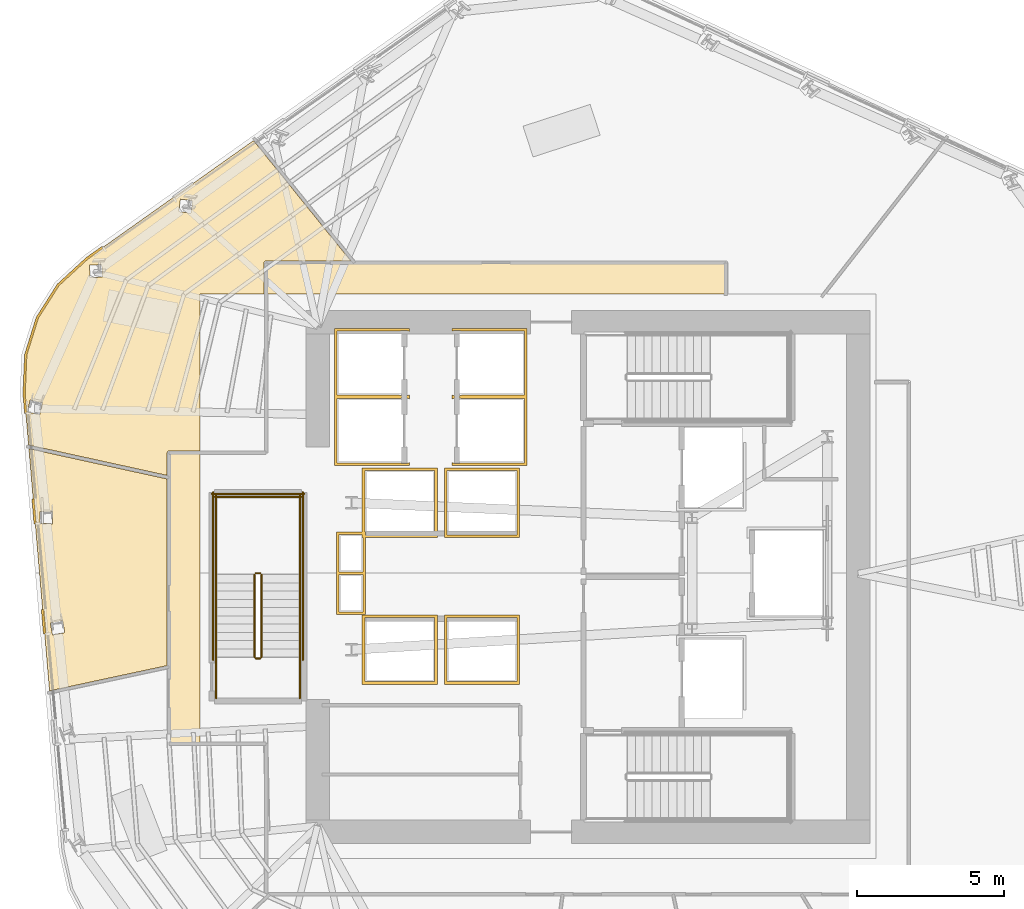
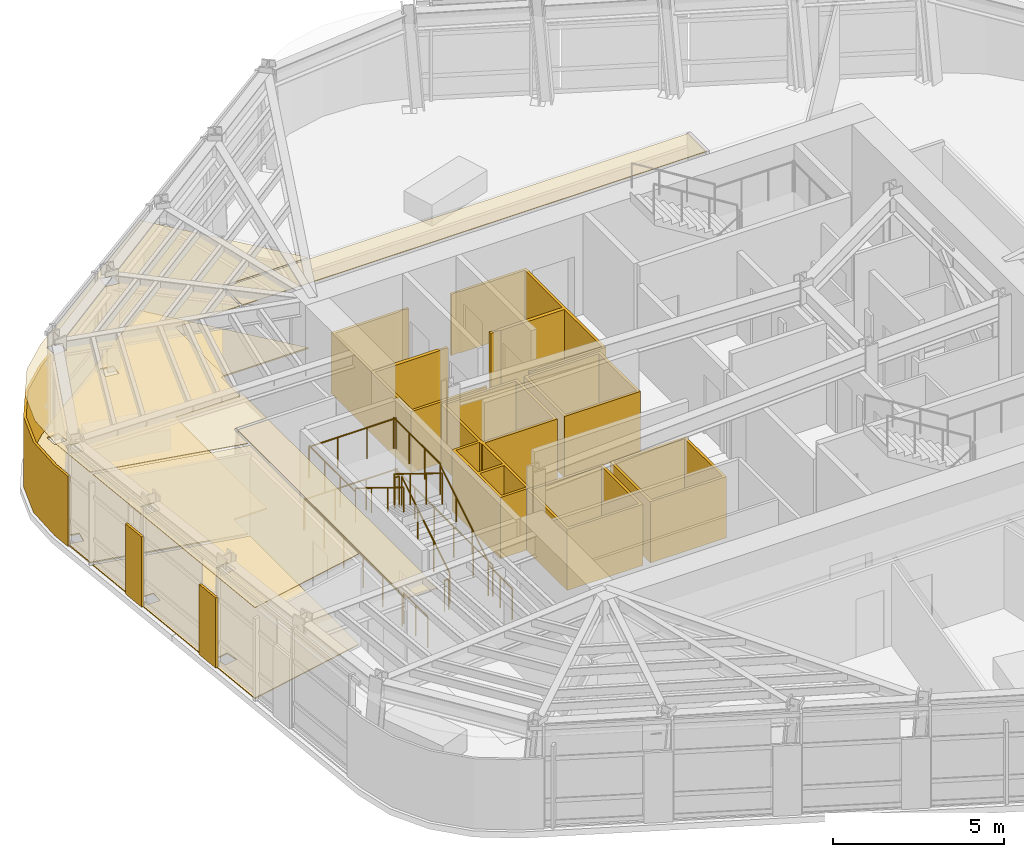
# One storey, part 11 of 14: 15 coverings, 14 railings.
"""IFC4 building model written with IfcOpenShell, lengths in metres."""

from ifc_helpers import new_model, si_unit, direction, frame, origin, origin_2d, place, context, subcontext, project, spatial, polyline, circle, outline, extrude, material, layer, layer_set, type_object, element, save


model = new_model("IFC4")

# Units and contexts
model_context = context("Model", 3, precision=1e-05, world=origin(), true_north=direction((0.0, 1.0)))
body_context = subcontext(model_context, "Body", "Model", "MODEL_VIEW")
ifc_project = project(units=[si_unit("LENGTHUNIT", "METRE"), si_unit("AREAUNIT", "SQUARE_METRE"), si_unit("VOLUMEUNIT", "CUBIC_METRE"), si_unit("PLANEANGLEUNIT", "RADIAN"), si_unit("MASSUNIT", "GRAM", prefix="KILO")], contexts=[model_context])

# Site, building, storey
site_placement = place(None, origin())
site = spatial("IfcSite", under=ifc_project, at=site_placement, CompositionType="ELEMENT")
building_placement = place(site_placement, origin())
building = spatial("IfcBuilding", under=site, at=building_placement, Name="Valkerne Bourse Tower", CompositionType="ELEMENT")
storey_placement = place(building_placement, frame((0.0, 0.0, 174.199951171875)))
storey = spatial("IfcBuildingStorey", under=building, at=storey_placement, Name="L44", CompositionType="ELEMENT", Elevation=174.199951171875)

# Coverings
ifc_material_1 = material(Name="Mineral Fiber Acoustic Ceiling Tile", Category="acoustic")
ifc_layer_1 = layer(ifc_material_1, 0.02490234375)
ifc_layer_set_1 = layer_set([ifc_layer_1], Name="Mineral Fiber Acoustic Ceiling Tile")
covering_type_1 = type_object("IfcCoveringType", Name="COV-CEIL-ACT", PredefinedType="CEILING", material=ifc_layer_set_1)
covering_1_placement = place(storey_placement, frame((0.0, 0.0, 3.22998046875)))
element("IfcCovering", 1, at=covering_1_placement, inside=storey, type_object=covering_type_1, Name="L44 Suspended Ceiling 04", PredefinedType="CEILING", context=body_context, shape_type="SweptSolid", body=[
    extrude(outline(polyline([(32.48095703125, 23.856689453125), (28.481689453125, 22.997802734375), (27.7783203125, 31.239501953125), (32.48095703125, 30.208984375), (32.48095703125, 23.856689453125)]), holes=[polyline([(28.9990234375, 24.982177734375), (28.922607421875, 25.38818359375), (28.505126953125, 25.309814453125), (28.50537109375, 25.30712890625), (28.581787109375, 24.901123046875), (28.999267578125, 24.9794921875), (28.9990234375, 24.982177734375)]), polyline([(28.582763671875, 29.099609375), (28.158203125, 29.10791015625), (28.157958984375, 29.105224609375), (28.150390625, 28.692138671875), (28.57470703125, 28.683837890625), (28.5751953125, 28.6865234375), (28.582763671875, 29.099609375)])]), origin(), (0.0, 0.0, 1.0), 0.025146484375),
])
covering_2_placement = place(storey_placement, frame((0.0, 0.0, 3.22998046875)))
element("IfcCovering", 2, at=covering_2_placement, inside=storey, type_object=covering_type_1, Name="L44 Suspended Ceiling 09", PredefinedType="CEILING", context=body_context, shape_type="SweptSolid", body=[
    extrude(outline(polyline([(28.069091796875, 35.694580078125), (28.7763671875, 36.80859375), (29.7548828125, 37.70849609375), (35.423095703125, 41.72509765625), (38.7333984375, 37.62890625), (35.849365234375, 37.62890625), (35.81396484375, 37.618896484375), (35.787353515625, 37.589111328125), (35.781005859375, 37.560302734375), (35.781005859375, 36.5), (33.60009765625, 36.5), (33.60009765625, 31.16748046875), (32.532470703125, 31.1669921875), (32.494873046875, 31.1416015625), (32.481201171875, 31.1044921875), (32.48095703125, 30.32958984375), (27.767822265625, 31.362548828125), (27.618896484375, 33.107177734375), (27.6748046875, 34.435302734375), (28.069091796875, 35.694580078125)]), holes=[polyline([(28.231689453125, 32.806396484375), (27.81640625, 32.894287109375), (27.8154296875, 32.8916015625), (27.730224609375, 32.487548828125), (28.1455078125, 32.399658203125), (28.146484375, 32.40234375), (28.231689453125, 32.806396484375)]), polyline([(30.27734375, 37.084228515625), (30.2529296875, 37.507080078125), (29.839599609375, 37.484619140625), (29.838134765625, 37.482177734375), (29.862548828125, 37.05908203125), (30.27587890625, 37.081787109375), (30.27734375, 37.084228515625)]), polyline([(33.347412109375, 39.676025390625), (32.93701171875, 39.731201171875), (32.935302734375, 39.7294921875), (32.879638671875, 39.309326171875), (33.2900390625, 39.25390625), (33.291748046875, 39.255859375), (33.347412109375, 39.676025390625)])]), origin(), (0.0, 0.0, 1.0), 0.025146484375),
])
ifc_material_2 = material(Name="Bronze Anodised Aluminium AA 6063-T6", Category="aluminium")
ifc_layer_2 = layer(ifc_material_2, 0.030029296875)
ifc_layer_set_2 = layer_set([ifc_layer_2], Name="Bronze Anodised Aluminium AA 6063-T6")
covering_type_2 = type_object("IfcCoveringType", Name="COV-CEIL-METAL", PredefinedType="CEILING", material=ifc_layer_set_2)
covering_3_placement = place(storey_placement, frame((0.0, 0.0, 3.22998046875)))
element("IfcCovering", 3, at=covering_3_placement, inside=storey, type_object=covering_type_2, Name="L44 Suspended Ceiling 02", PredefinedType="CEILING", context=body_context, shape_type="SweptSolid", body=[
    extrude(outline(polyline([(32.553955078125, 21.2041015625), (32.553955078125, 31.095947265625), (33.60009765625, 31.095947265625), (33.60009765625, 21.2041015625), (32.553955078125, 21.2041015625)])), origin(), (0.0, 0.0, 1.0), 0.025146484375),
])
covering_4_placement = place(storey_placement, frame((0.0, 0.0, 3.22998046875)))
element("IfcCovering", 4, at=covering_4_placement, inside=storey, type_object=covering_type_2, Name="L44 Suspended Ceiling 03", PredefinedType="CEILING", context=body_context, shape_type="SweptSolid", body=[
    extrude(outline(polyline([(35.85400390625, 37.555908203125), (51.49609375, 37.555908203125), (51.49609375, 36.5), (35.85400390625, 36.5), (35.85400390625, 37.555908203125)])), origin(), (0.0, 0.0, 1.0), 0.025146484375),
])
ifc_layer_3 = layer(ifc_material_2, 0.06005859375)
ifc_layer_set_3 = layer_set([ifc_layer_3], Name="Bronze Anodised Aluminium AA 6063-T6")
covering_type_3 = type_object("IfcCoveringType", Name="COV-CRN-ALUM", PredefinedType="CLADDING", material=ifc_layer_set_3)
covering_5_placement = place(storey_placement, origin())
element("IfcCovering", 5, at=covering_5_placement, inside=storey, type_object=covering_type_3, Name="L44 Wind-Shaped Corner Aluminium Cladding 11", PredefinedType="CLADDING", context=body_context, shape_type="SweptSolid", body=[
    extrude(outline(polyline([(28.20166015625, 25.76171875), (28.28125, 25.768798828125), (28.352783203125, 24.931884765625), (28.273193359375, 24.9248046875), (28.20166015625, 25.76171875)])), origin(), (0.0, 0.0, 1.0), 2.5),
])
covering_6_placement = place(storey_placement, origin())
element("IfcCovering", 6, at=covering_6_placement, inside=storey, type_object=covering_type_3, Name="L44 Wind-Shaped Corner Aluminium Cladding 12", PredefinedType="CLADDING", context=body_context, shape_type="SweptSolid", body=[
    extrude(outline(polyline([(27.881103515625, 29.51904296875), (27.960693359375, 29.526123046875), (28.031982421875, 28.689208984375), (27.952392578125, 28.68212890625), (27.881103515625, 29.51904296875)])), origin(), (0.0, 0.0, 1.0), 2.5),
])
covering_7_placement = place(storey_placement, origin())
element("IfcCovering", 7, at=covering_7_placement, inside=storey, type_object=covering_type_3, Name="L44 Wind-Shaped Corner Aluminium Cladding 13", PredefinedType="CLADDING", context=body_context, shape_type="SweptSolid", body=[
    extrude(outline(polyline([(27.574951171875, 33.106201171875), (27.631103515625, 34.443115234375), (28.029052734375, 35.713134765625), (28.7421875, 36.837158203125), (29.72705078125, 37.742919921875), (30.27294921875, 38.129638671875), (30.319091796875, 38.064208984375), (29.777587890625, 37.680419921875), (28.80419921875, 36.785400390625), (28.102294921875, 35.67919921875), (27.71044921875, 34.42919921875), (27.655029296875, 33.10791015625), (27.71142578125, 32.446533203125), (27.6318359375, 32.439453125), (27.574951171875, 33.106201171875)])), origin(), (0.0, 0.0, 1.0), 2.5),
])
ifc_material_3 = material(Name="Galvanised Painted Steel", Category="steel")
ifc_layer_4 = layer(ifc_material_3, 0.044921875)
ifc_layer_set_4 = layer_set([ifc_layer_4], Name="Galvanised Painted Steel")
covering_type_4 = type_object("IfcCoveringType", Name="COV-FLR-RAF", PredefinedType="FLOORING", material=ifc_layer_set_4)
covering_8_placement = place(storey_placement, origin())
element("IfcCovering", 8, at=covering_8_placement, inside=storey, type_object=covering_type_4, Name="L44 Floor Finish 09", PredefinedType="FLOORING", context=body_context, shape_type="SweptSolid", body=[
    extrude(outline(polyline([(28.069091796875, 35.694580078125), (28.7763671875, 36.80859375), (29.7548828125, 37.70849609375), (35.423095703125, 41.72509765625), (38.7333984375, 37.62890625), (35.849365234375, 37.62890625), (35.81396484375, 37.618896484375), (35.787353515625, 37.589111328125), (35.781005859375, 37.560302734375), (35.781005859375, 36.5), (33.60009765625, 36.5), (33.60009765625, 31.16748046875), (32.532470703125, 31.1669921875), (32.494873046875, 31.1416015625), (32.481201171875, 31.1044921875), (32.48095703125, 30.32958984375), (27.767822265625, 31.362548828125), (27.618896484375, 33.107177734375), (27.6748046875, 34.435302734375), (28.069091796875, 35.694580078125)]), holes=[polyline([(28.231689453125, 32.806396484375), (27.81640625, 32.894287109375), (27.8154296875, 32.8916015625), (27.730224609375, 32.487548828125), (28.1455078125, 32.399658203125), (28.146484375, 32.40234375), (28.231689453125, 32.806396484375)]), polyline([(30.27734375, 37.084228515625), (30.2529296875, 37.507080078125), (29.839599609375, 37.484619140625), (29.838134765625, 37.482177734375), (29.862548828125, 37.05908203125), (30.27587890625, 37.081787109375), (30.27734375, 37.084228515625)]), polyline([(33.347412109375, 39.676025390625), (32.93701171875, 39.731201171875), (32.935302734375, 39.7294921875), (32.879638671875, 39.309326171875), (33.2900390625, 39.25390625), (33.291748046875, 39.255859375), (33.347412109375, 39.676025390625)])]), origin(), (0.0, 0.0, 1.0), 0.045166015625),
])
ifc_material_4 = material(Name="Polished Granite Stone", Category="masonry")
ifc_layer_5 = layer(ifc_material_4, 0.030029296875)
ifc_layer_set_5 = layer_set([ifc_layer_5], Name="Polished Granite Stone")
covering_type_5 = type_object("IfcCoveringType", Name="COV-FLR-TERRAZZO", PredefinedType="FLOORING", material=ifc_layer_set_5)
covering_9_placement = place(storey_placement, origin())
element("IfcCovering", 9, at=covering_9_placement, inside=storey, type_object=covering_type_5, Name="L44 Floor Finish 04", PredefinedType="FLOORING", context=body_context, shape_type="SweptSolid", body=[
    extrude(outline(polyline([(32.48095703125, 23.856689453125), (28.481689453125, 22.997802734375), (27.7783203125, 31.239501953125), (32.48095703125, 30.208984375), (32.48095703125, 23.856689453125)]), holes=[polyline([(28.9990234375, 24.982177734375), (28.922607421875, 25.38818359375), (28.505126953125, 25.309814453125), (28.50537109375, 25.30712890625), (28.581787109375, 24.901123046875), (28.999267578125, 24.9794921875), (28.9990234375, 24.982177734375)]), polyline([(28.582763671875, 29.099609375), (28.158203125, 29.10791015625), (28.157958984375, 29.105224609375), (28.150390625, 28.692138671875), (28.57470703125, 28.683837890625), (28.5751953125, 28.6865234375), (28.582763671875, 29.099609375)])]), origin(), (0.0, 0.0, 1.0), 0.030029296875),
])
ifc_material_5 = material(Name="Gypsum Shaftwall Liner Board", Category="gypsum")
ifc_layer_6 = layer(ifc_material_5, 0.080078125)
ifc_layer_set_6 = layer_set([ifc_layer_6], Name="Gypsum Shaftwall Liner Board")
covering_type_6 = type_object("IfcCoveringType", Name="COV-SHF-CLAD", PredefinedType="CLADDING", material=ifc_layer_set_6)
covering_10_placement = place(storey_placement, origin())
element("IfcCovering", 10, at=covering_10_placement, inside=storey, type_object=covering_type_6, Name="L44 Hoistway & Riser Shaftwall Liner 01", PredefinedType="CLADDING", context=body_context, shape_type="SweptSolid", body=[
    extrude(outline(polyline([(41.679931640625, 25.580078125), (41.679931640625, 23.219970703125), (39.1201171875, 23.219970703125), (39.1201171875, 25.580078125), (41.679931640625, 25.580078125)]), holes=[polyline([(41.590087890625, 25.489990234375), (39.2099609375, 25.489990234375), (39.2099609375, 23.31005859375), (41.590087890625, 23.31005859375), (41.590087890625, 25.489990234375)])]), origin(), (0.0, 0.0, 1.0), 2.179931640625),
])
covering_11_placement = place(storey_placement, origin())
element("IfcCovering", 11, at=covering_11_placement, inside=storey, type_object=covering_type_6, Name="L44 Hoistway & Riser Shaftwall Liner 02", PredefinedType="CLADDING", context=body_context, shape_type="SweptSolid", body=[
    extrude(outline(polyline([(44.47998046875, 23.219970703125), (41.919921875, 23.219970703125), (41.919921875, 25.580078125), (44.47998046875, 25.580078125), (44.47998046875, 23.219970703125)]), holes=[polyline([(42.010009765625, 25.489990234375), (42.010009765625, 23.31005859375), (44.389892578125, 23.31005859375), (44.389892578125, 25.489990234375), (42.010009765625, 25.489990234375)])]), origin(), (0.0, 0.0, 1.0), 2.179931640625),
])
covering_12_placement = place(storey_placement, origin())
element("IfcCovering", 12, at=covering_12_placement, inside=storey, type_object=covering_type_6, Name="L44 Hoistway & Riser Shaftwall Liner 03", PredefinedType="CLADDING", context=body_context, shape_type="SweptSolid", body=[
    extrude(outline(polyline([(38.239990234375, 28.409912109375), (39.1201171875, 28.409912109375), (39.1201171875, 30.580078125), (41.679931640625, 30.580078125), (41.679931640625, 28.219970703125), (39.239990234375, 28.219970703125), (39.239990234375, 27.0400390625), (39.239990234375, 26.9599609375), (39.239990234375, 25.590087890625), (38.239990234375, 25.590087890625), (38.239990234375, 26.9599609375), (38.239990234375, 27.0400390625), (38.239990234375, 28.409912109375)]), holes=[polyline([(38.330078125, 26.949951171875), (38.330078125, 25.679931640625), (39.14990234375, 25.679931640625), (39.14990234375, 26.949951171875), (38.330078125, 26.949951171875)]), polyline([(39.2099609375, 30.489990234375), (39.2099609375, 28.409912109375), (39.239990234375, 28.409912109375), (39.239990234375, 28.31005859375), (41.590087890625, 28.31005859375), (41.590087890625, 30.489990234375), (39.2099609375, 30.489990234375)]), polyline([(38.330078125, 27.050048828125), (39.14990234375, 27.050048828125), (39.14990234375, 28.219970703125), (39.1201171875, 28.219970703125), (39.1201171875, 28.320068359375), (38.330078125, 28.320068359375), (38.330078125, 27.050048828125)])]), origin(), (0.0, 0.0, 1.0), 2.179931640625),
])
covering_13_placement = place(storey_placement, origin())
element("IfcCovering", 13, at=covering_13_placement, inside=storey, type_object=covering_type_6, Name="L44 Hoistway & Riser Shaftwall Liner 04", PredefinedType="CLADDING", context=body_context, shape_type="SweptSolid", body=[
    extrude(outline(polyline([(38.169921875, 35.330078125), (40.72998046875, 35.330078125), (40.72998046875, 35.232177734375), (40.72216796875, 35.235595703125), (40.6806640625, 35.25048828125), (40.6376953125, 35.261474609375), (40.593994140625, 35.267822265625), (40.550048828125, 35.27001953125), (40.505859375, 35.267822265625), (40.462158203125, 35.261474609375), (40.41943359375, 35.25048828125), (40.3896484375, 35.239990234375), (38.260009765625, 35.239990234375), (38.260009765625, 33.06005859375), (40.3896484375, 33.06005859375), (40.41943359375, 33.04931640625), (40.462158203125, 33.03857421875), (40.505859375, 33.0322265625), (40.550048828125, 33.030029296875), (40.593994140625, 33.0322265625), (40.6376953125, 33.03857421875), (40.6806640625, 33.04931640625), (40.72216796875, 33.064208984375), (40.72998046875, 33.06787109375), (40.72998046875, 33.030029296875), (40.72998046875, 32.969970703125), (40.72998046875, 32.93212890625), (40.72216796875, 32.935791015625), (40.6806640625, 32.95068359375), (40.6376953125, 32.96142578125), (40.593994140625, 32.9677734375), (40.550048828125, 32.969970703125), (40.505859375, 32.9677734375), (40.462158203125, 32.96142578125), (40.41943359375, 32.95068359375), (40.3896484375, 32.93994140625), (38.260009765625, 32.93994140625), (38.260009765625, 30.760009765625), (40.3896484375, 30.760009765625), (40.41943359375, 30.74951171875), (40.462158203125, 30.738525390625), (40.505859375, 30.732177734375), (40.550048828125, 30.72998046875), (40.593994140625, 30.732177734375), (40.6376953125, 30.738525390625), (40.6806640625, 30.74951171875), (40.72216796875, 30.764404296875), (40.72998046875, 30.767822265625), (40.72998046875, 30.669921875), (38.169921875, 30.669921875), (38.169921875, 32.969970703125), (38.169921875, 33.030029296875), (38.169921875, 35.330078125)])), origin(), (0.0, 0.0, 1.0), 2.179931640625),
])
covering_14_placement = place(storey_placement, origin())
element("IfcCovering", 14, at=covering_14_placement, inside=storey, type_object=covering_type_6, Name="L44 Hoistway & Riser Shaftwall Liner 07", PredefinedType="CLADDING", context=body_context, shape_type="SweptSolid", body=[
    extrude(outline(polyline([(44.47998046875, 28.219970703125), (41.919921875, 28.219970703125), (41.919921875, 30.580078125), (44.47998046875, 30.580078125), (44.47998046875, 28.219970703125)]), holes=[polyline([(42.010009765625, 30.489990234375), (42.010009765625, 28.31005859375), (44.389892578125, 28.31005859375), (44.389892578125, 30.489990234375), (42.010009765625, 30.489990234375)])]), origin(), (0.0, 0.0, 1.0), 2.179931640625),
])
covering_15_placement = place(storey_placement, origin())
element("IfcCovering", 15, at=covering_15_placement, inside=storey, type_object=covering_type_6, Name="L44 Hoistway & Riser Shaftwall Liner 09", PredefinedType="CLADDING", context=body_context, shape_type="SweptSolid", body=[
    extrude(outline(polyline([(42.169921875, 33.06787109375), (42.177734375, 33.064208984375), (42.219482421875, 33.04931640625), (42.26220703125, 33.03857421875), (42.305908203125, 33.0322265625), (42.35009765625, 33.030029296875), (42.39404296875, 33.0322265625), (42.437744140625, 33.03857421875), (42.480712890625, 33.04931640625), (42.51025390625, 33.06005859375), (44.639892578125, 33.06005859375), (44.639892578125, 35.239990234375), (42.51025390625, 35.239990234375), (42.480712890625, 35.25048828125), (42.437744140625, 35.261474609375), (42.39404296875, 35.267822265625), (42.35009765625, 35.27001953125), (42.305908203125, 35.267822265625), (42.26220703125, 35.261474609375), (42.219482421875, 35.25048828125), (42.177734375, 35.235595703125), (42.169921875, 35.232177734375), (42.169921875, 35.330078125), (44.72998046875, 35.330078125), (44.72998046875, 33.030029296875), (44.72998046875, 32.969970703125), (44.72998046875, 30.669921875), (42.169921875, 30.669921875), (42.169921875, 30.767822265625), (42.177734375, 30.764404296875), (42.219482421875, 30.74951171875), (42.26220703125, 30.738525390625), (42.305908203125, 30.732177734375), (42.35009765625, 30.72998046875), (42.39404296875, 30.732177734375), (42.437744140625, 30.738525390625), (42.480712890625, 30.74951171875), (42.51025390625, 30.760009765625), (44.639892578125, 30.760009765625), (44.639892578125, 32.93994140625), (42.51025390625, 32.93994140625), (42.480712890625, 32.95068359375), (42.437744140625, 32.96142578125), (42.39404296875, 32.9677734375), (42.35009765625, 32.969970703125), (42.305908203125, 32.9677734375), (42.26220703125, 32.96142578125), (42.219482421875, 32.95068359375), (42.177734375, 32.935791015625), (42.169921875, 32.93212890625), (42.169921875, 32.969970703125), (42.169921875, 33.030029296875), (42.169921875, 33.06787109375)])), origin(), (0.0, 0.0, 1.0), 2.179931640625),
])

# Railings
railing_type_1 = type_object("IfcRailingType", Name="RLG-ST-GUARD-1120", PredefinedType="GUARDRAIL", material=ifc_material_3)
railing_1_placement = place(storey_placement, frame((35.699951171875, 24.14990234375, 0.1728515625)))
element("IfcRailing", 16, at=railing_1_placement, inside=storey, type_object=railing_type_1, Name="L44 ST-3 stair guard 1", PredefinedType="GUARDRAIL", context=body_context, shape_type="SweptSolid", body=[
    extrude(circle(Radius=0.02392578125, at=origin_2d()), frame((0.0, 0.0, 1.09619140625), z_axis=(0.0, 0.851089632645, 0.525020415988), x_axis=(-1.0, 0.0, 0.0)), (0.0, 0.0, 1.0), 3.2900390625),
    extrude(circle(Radius=0.02099609375, at=origin_2d()), origin(), (0.0, 0.0, 1.0), 1.072021484375),
    extrude(circle(Radius=0.02099609375, at=origin_2d()), frame((0.0, 0.933349609375, 0.57568359375)), (0.0, 0.0, 1.0), 1.072021484375),
    extrude(circle(Radius=0.02099609375, at=origin_2d()), frame((0.0, 1.86669921875, 1.151611328125)), (0.0, 0.0, 1.0), 1.072021484375),
    extrude(circle(Radius=0.02099609375, at=origin_2d()), frame((0.0, 2.800048828125, 1.727294921875)), (0.0, 0.0, 1.0), 1.072021484375),
])
railing_2_placement = place(storey_placement, frame((35.64990234375, 27.0, 1.900146484375)))
element("IfcRailing", 17, at=railing_2_placement, inside=storey, type_object=railing_type_1, Name="L44 ST-3 stair guard 2", PredefinedType="GUARDRAIL", context=body_context, shape_type="SweptSolid", body=[
    extrude(circle(Radius=0.02392578125, at=origin_2d()), frame((0.0, 0.0, 1.09619140625), z_axis=(-1.0, 0.0, 0.0), x_axis=(0.0, -1.0, 0.0)), (0.0, 0.0, 1.0), 0.14990234375),
    extrude(circle(Radius=0.02099609375, at=origin_2d()), origin(), (0.0, 0.0, 1.0), 1.072021484375),
    extrude(circle(Radius=0.02099609375, at=origin_2d()), frame((-0.14990234375, 0.0, 0.0)), (0.0, 0.0, 1.0), 1.072021484375),
])
for number, where, name in (
    (18, (37.0, 26.949951171875, 1.900146484375), "L44 ST-3 stair guard 3"),
    (19, (34.14990234375, 26.949951171875, 1.900146484375), "L44 ST-3 stair guard 4"),
):
    element("IfcRailing", number, at=place(storey_placement, frame(where)), inside=storey, type_object=railing_type_1, Name=name, PredefinedType="GUARDRAIL", context=body_context, shape_type="SweptSolid", body=[
        extrude(circle(Radius=0.02392578125, at=origin_2d()), frame((0.0, 0.0, 1.09619140625), z_axis=(0.0, 1.0, 0.0), x_axis=(-1.0, 0.0, 0.0)), (0.0, 0.0, 1.0), 2.699951171875),
        extrude(circle(Radius=0.02099609375, at=origin_2d()), origin(), (0.0, 0.0, 1.0), 1.072021484375),
        extrude(circle(Radius=0.02099609375, at=origin_2d()), frame((0.0, 0.89990234375, 0.0)), (0.0, 0.0, 1.0), 1.072021484375),
        extrude(circle(Radius=0.02099609375, at=origin_2d()), frame((0.0, 1.800048828125, 0.0)), (0.0, 0.0, 1.0), 1.072021484375),
        extrude(circle(Radius=0.02099609375, at=origin_2d()), frame((0.0, 2.699951171875, 0.0)), (0.0, 0.0, 1.0), 1.072021484375),
    ])
railing_3_placement = place(storey_placement, frame((37.050048828125, 29.60009765625, 1.900146484375)))
element("IfcRailing", 20, at=railing_3_placement, inside=storey, type_object=railing_type_1, Name="L44 ST-3 stair guard 5", PredefinedType="GUARDRAIL", context=body_context, shape_type="SweptSolid", body=[
    extrude(circle(Radius=0.02392578125, at=origin_2d()), frame((0.0, 0.0, 1.09619140625), z_axis=(-1.0, 0.0, 0.0), x_axis=(0.0, -1.0, 0.0)), (0.0, 0.0, 1.0), 2.949951171875),
    extrude(circle(Radius=0.02099609375, at=origin_2d()), origin(), (0.0, 0.0, 1.0), 1.072021484375),
    extrude(circle(Radius=0.02099609375, at=origin_2d()), frame((-0.9833984375, 0.0, 0.0)), (0.0, 0.0, 1.0), 1.072021484375),
    extrude(circle(Radius=0.02099609375, at=origin_2d()), frame((-1.966552734375, 0.0, 0.0)), (0.0, 0.0, 1.0), 1.072021484375),
    extrude(circle(Radius=0.02099609375, at=origin_2d()), frame((-2.949951171875, 0.0, 0.0)), (0.0, 0.0, 1.0), 1.072021484375),
])
railing_4_placement = place(storey_placement, frame((35.449951171875, 26.949951171875, 2.07275390625)))
element("IfcRailing", 21, at=railing_4_placement, inside=storey, type_object=railing_type_1, Name="L44 ST-3 stair guard 6", PredefinedType="GUARDRAIL", context=body_context, shape_type="SweptSolid", body=[
    extrude(circle(Radius=0.02392578125, at=origin_2d()), frame((0.0, 0.0, 1.09619140625), z_axis=(0.0, -0.851089632645, 0.525020415988), x_axis=(1.0, 0.0, 0.0)), (0.0, 0.0, 1.0), 3.2900390625),
    extrude(circle(Radius=0.02099609375, at=origin_2d()), origin(), (0.0, 0.0, 1.0), 1.072021484375),
    extrude(circle(Radius=0.02099609375, at=origin_2d()), frame((0.0, -0.933349609375, 0.57568359375)), (0.0, 0.0, 1.0), 1.072021484375),
    extrude(circle(Radius=0.02099609375, at=origin_2d()), frame((0.0, -1.86669921875, 1.151611328125)), (0.0, 0.0, 1.0), 1.072021484375),
    extrude(circle(Radius=0.02099609375, at=origin_2d()), frame((0.0, -2.800048828125, 1.727294921875)), (0.0, 0.0, 1.0), 1.072021484375),
])
railing_5_placement = place(storey_placement, frame((35.64990234375, 24.10009765625, 0.0)))
element("IfcRailing", 22, at=railing_5_placement, inside=storey, type_object=railing_type_1, Name="L44 ST-3 stair guard 7", PredefinedType="GUARDRAIL", context=body_context, shape_type="SweptSolid", body=[
    extrude(circle(Radius=0.02392578125, at=origin_2d()), frame((0.0, 0.0, 1.09619140625), z_axis=(-1.0, 0.0, 0.0), x_axis=(0.0, -1.0, 0.0)), (0.0, 0.0, 1.0), 0.14990234375),
    extrude(circle(Radius=0.02099609375, at=origin_2d()), origin(), (0.0, 0.0, 1.0), 1.072021484375),
    extrude(circle(Radius=0.02099609375, at=origin_2d()), frame((-0.14990234375, 0.0, 0.0)), (0.0, 0.0, 1.0), 1.072021484375),
])
for number, where, name in (
    (23, (37.0, 22.75, 0.0), "L44 ST-3 stair guard 8"),
    (24, (34.14990234375, 22.75, 0.0), "L44 ST-3 stair guard 9"),
):
    element("IfcRailing", number, at=place(storey_placement, frame(where)), inside=storey, type_object=railing_type_1, Name=name, PredefinedType="GUARDRAIL", context=body_context, shape_type="SweptSolid", body=[
        extrude(circle(Radius=0.02392578125, at=origin_2d()), frame((0.0, 0.0, 1.09619140625), z_axis=(0.0, 1.0, 0.0), x_axis=(-1.0, 0.0, 0.0)), (0.0, 0.0, 1.0), 1.39990234375),
        extrude(circle(Radius=0.02099609375, at=origin_2d()), origin(), (0.0, 0.0, 1.0), 1.072021484375),
        extrude(circle(Radius=0.02099609375, at=origin_2d()), frame((0.0, 0.699951171875, 0.0)), (0.0, 0.0, 1.0), 1.072021484375),
        extrude(circle(Radius=0.02099609375, at=origin_2d()), frame((0.0, 1.39990234375, 0.0)), (0.0, 0.0, 1.0), 1.072021484375),
    ])
for number, where, name in (
    (25, (37.10009765625, 24.050048828125, 0.0), "L44 ST-3 stair guard 10"),
    (26, (34.050048828125, 24.050048828125, 0.0), "L44 ST-3 stair guard 11"),
):
    element("IfcRailing", number, at=place(storey_placement, frame(where)), inside=storey, type_object=railing_type_1, Name=name, PredefinedType="GUARDRAIL", context=body_context, shape_type="SweptSolid", body=[
        extrude(circle(Radius=0.02392578125, at=origin_2d()), frame((0.0, 0.0, 1.09619140625), z_axis=(0.0, 1.0, 0.0), x_axis=(-1.0, 0.0, 0.0)), (0.0, 0.0, 1.0), 5.699951171875),
        extrude(circle(Radius=0.02099609375, at=origin_2d()), origin(), (0.0, 0.0, 1.0), 1.072021484375),
        extrude(circle(Radius=0.02099609375, at=origin_2d()), frame((0.0, 1.139892578125, 0.0)), (0.0, 0.0, 1.0), 1.072021484375),
        extrude(circle(Radius=0.02099609375, at=origin_2d()), frame((0.0, 2.280029296875, 0.0)), (0.0, 0.0, 1.0), 1.072021484375),
        extrude(circle(Radius=0.02099609375, at=origin_2d()), frame((0.0, 3.419921875, 0.0)), (0.0, 0.0, 1.0), 1.072021484375),
        extrude(circle(Radius=0.02099609375, at=origin_2d()), frame((0.0, 4.56005859375, 0.0)), (0.0, 0.0, 1.0), 1.072021484375),
        extrude(circle(Radius=0.02099609375, at=origin_2d()), frame((0.0, 5.699951171875, 0.0)), (0.0, 0.0, 1.0), 1.072021484375),
    ])
railing_6_placement = place(storey_placement, frame((37.14990234375, 29.699951171875, 0.0)))
element("IfcRailing", 27, at=railing_6_placement, inside=storey, type_object=railing_type_1, Name="L44 ST-3 stair guard 12", PredefinedType="GUARDRAIL", context=body_context, shape_type="SweptSolid", body=[
    extrude(circle(Radius=0.02392578125, at=origin_2d()), frame((0.0, 0.0, 1.09619140625), z_axis=(-1.0, 0.0, 0.0), x_axis=(0.0, -1.0, 0.0)), (0.0, 0.0, 1.0), 3.14990234375),
    extrude(circle(Radius=0.02099609375, at=origin_2d()), origin(), (0.0, 0.0, 1.0), 1.072021484375),
    extrude(circle(Radius=0.02099609375, at=origin_2d()), frame((-1.050048828125, 0.0, 0.0)), (0.0, 0.0, 1.0), 1.072021484375),
    extrude(circle(Radius=0.02099609375, at=origin_2d()), frame((-2.099853515625, 0.0, 0.0)), (0.0, 0.0, 1.0), 1.072021484375),
    extrude(circle(Radius=0.02099609375, at=origin_2d()), frame((-3.14990234375, 0.0, 0.0)), (0.0, 0.0, 1.0), 1.072021484375),
])
ifc_material_6 = material(Name="Stainless Steel AISI 316", Category="steel")
railing_type_2 = type_object("IfcRailingType", Name="RLG-ST-HANDRAIL-900", PredefinedType="HANDRAIL", material=ifc_material_6)
railing_7_placement = place(storey_placement, frame((37.0, 24.14990234375, 0.345458984375)))
element("IfcRailing", 28, at=railing_7_placement, inside=storey, type_object=railing_type_2, Name="L44 ST-3 stair handrail 1", PredefinedType="HANDRAIL", context=body_context, shape_type="SweptSolid", body=[
    extrude(circle(Radius=0.02392578125, at=origin_2d()), frame((0.0, 0.0, 0.8759765625), z_axis=(0.0, 0.851089632645, 0.525020415988), x_axis=(-1.0, 0.0, 0.0)), (0.0, 0.0, 1.0), 3.2900390625),
    extrude(circle(Radius=0.02099609375, at=origin_2d()), origin(), (0.0, 0.0, 1.0), 0.851806640625),
    extrude(circle(Radius=0.02099609375, at=origin_2d()), frame((0.0, 0.933349609375, 0.57568359375)), (0.0, 0.0, 1.0), 0.851806640625),
    extrude(circle(Radius=0.02099609375, at=origin_2d()), frame((0.0, 1.86669921875, 1.151611328125)), (0.0, 0.0, 1.0), 0.851806640625),
    extrude(circle(Radius=0.02099609375, at=origin_2d()), frame((0.0, 2.800048828125, 1.727294921875)), (0.0, 0.0, 1.0), 0.851806640625),
])
railing_8_placement = place(storey_placement, frame((34.14990234375, 26.949951171875, 2.24560546875)))
element("IfcRailing", 29, at=railing_8_placement, inside=storey, type_object=railing_type_2, Name="L44 ST-3 stair handrail 2", PredefinedType="HANDRAIL", context=body_context, shape_type="SweptSolid", body=[
    extrude(circle(Radius=0.02392578125, at=origin_2d()), frame((0.0, 0.0, 0.8759765625), z_axis=(0.0, -0.851122791225, 0.524966660138), x_axis=(1.0, 0.0, 0.0)), (0.0, 0.0, 1.0), 3.289794921875),
    extrude(circle(Radius=0.02099609375, at=origin_2d()), origin(), (0.0, 0.0, 1.0), 0.851806640625),
    extrude(circle(Radius=0.02099609375, at=origin_2d()), frame((0.0, -0.933349609375, 0.57568359375)), (0.0, 0.0, 1.0), 0.851806640625),
    extrude(circle(Radius=0.02099609375, at=origin_2d()), frame((0.0, -1.86669921875, 1.1513671875)), (0.0, 0.0, 1.0), 0.851806640625),
    extrude(circle(Radius=0.02099609375, at=origin_2d()), frame((0.0, -2.800048828125, 1.72705078125)), (0.0, 0.0, 1.0), 0.851806640625),
])

save(model, "model.ifc")
